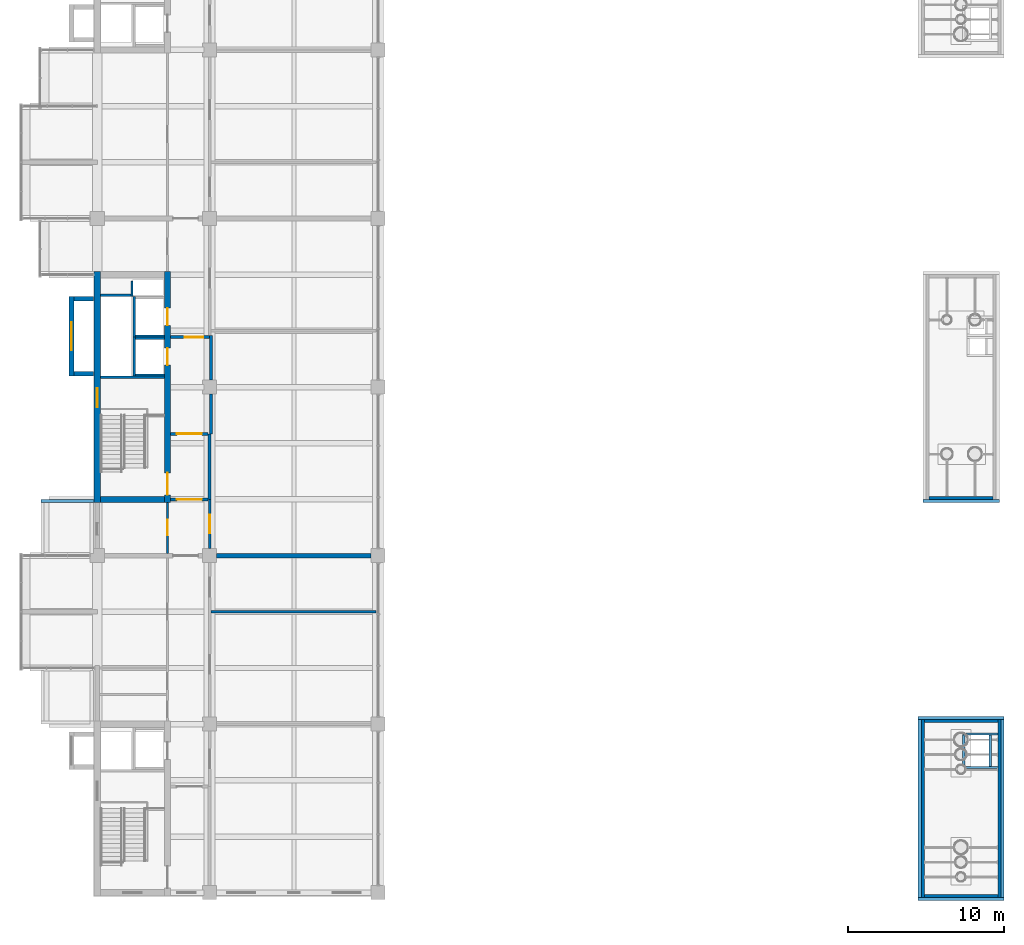
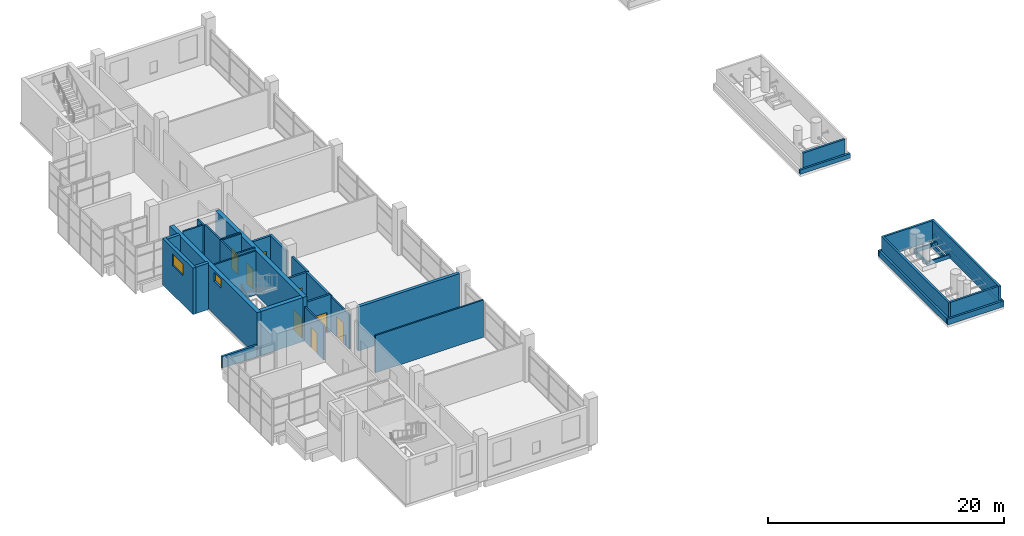
# One storey, part 15 of 22: 39 walls, 8 doors, 2 windows, 10 openings.
"""IFC4 building model written with IfcOpenShell, lengths in metres."""

from ifc_helpers import new_model, si_unit, direction, frame, frame_2d, origin, place, context, subcontext, project, spatial, rectangle, extrude, material, layer, layer_set, type_object, element, fill, save


model = new_model("IFC4")

# Units and contexts
model_context = context("Model", 3, precision=1e-05, world=origin(), true_north=direction((0.0, 1.0)))
body_context = subcontext(model_context, "Body", "Model", "MODEL_VIEW")
ifc_project = project(units=[si_unit("LENGTHUNIT", "METRE"), si_unit("AREAUNIT", "SQUARE_METRE"), si_unit("VOLUMEUNIT", "CUBIC_METRE"), si_unit("PLANEANGLEUNIT", "RADIAN"), si_unit("MASSUNIT", "GRAM", prefix="KILO")], contexts=[model_context])

# Site, building, storey
site_placement = place(None, origin())
site = spatial("IfcSite", under=ifc_project, at=site_placement, CompositionType="ELEMENT")
building_placement = place(site_placement, origin())
building = spatial("IfcBuilding", under=site, at=building_placement, Name="Basin Gate Institute", CompositionType="ELEMENT")
storey_placement = place(building_placement, frame((0.0, 0.0, 51.0)))
storey = spatial("IfcBuildingStorey", under=building, at=storey_placement, Name="L10", CompositionType="ELEMENT", Elevation=51.0)

# Wall, opening, door
ifc_material_1 = material(Name="Fire-rated masonry", Category="masonry")
ifc_layer_1 = layer(ifc_material_1, 0.199951171875)
ifc_layer_set_1 = layer_set([ifc_layer_1], Name="Enclosure wall PW2 200 EI 60")
wall_type_1 = type_object("IfcWallType", Name="Enclosure wall PW2 200 EI 60", PredefinedType="PARTITIONING", material=ifc_layer_set_1)
wall_1_placement = place(storey_placement, frame((65.89990234375, 60.300048828125, 0.0), z_axis=(0.0, 0.0, 1.0), x_axis=(1.0, 0.0, 0.0)))
wall_1 = element("IfcWall", 1, at=wall_1_placement, inside=storey, type_object=wall_type_1, material=ifc_layer_set_1, Name="Smoke lobby enclosure wall PW2 L10", PredefinedType="PARTITIONING", context=body_context, shape_type="SweptSolid", body=[
    extrude(rectangle(XDim=2.400146484375, YDim=0.199951171875, at=frame_2d((1.2001953125, 0.0))), origin(), (0.0, 0.0, 1.0), 3.85009765625),
])
opening_1_placement = place(wall_1_placement, frame((0.39990234375, 0.0, 0.0)))
opening_1 = element("IfcOpeningElement", 2, at=opening_1_placement, cuts=wall_1, Name="Opening DR456", PredefinedType="OPENING", context=body_context, shape_type="SweptSolid", body=[
    extrude(rectangle(XDim=1.60009765625, YDim=2.10009765625, at=frame_2d((0.800048828125, 1.050048828125))), frame((0.0, 0.10986328125, 0.0), z_axis=(0.0, -1.0, 0.0), x_axis=(1.0, 0.0, 0.0)), (0.0, 0.0, 1.0), 0.219970703125),
])
ifc_material_2 = material(Name="Steel fire door", Category="steel")
door_type_1 = type_object("IfcDoorType", Name="FD60 Smoke lobby door pair D8", OperationType="DOUBLE_DOOR_SINGLE_SWING", PredefinedType="DOOR", material=ifc_material_2)
door_1_placement = place(opening_1_placement, origin())
door_1 = element("IfcDoor", 3, at=door_1_placement, inside=storey, type_object=door_type_1, material=ifc_material_2, Name="Smoke lobby door SS2 L10", OperationType="DOUBLE_DOOR_SINGLE_SWING", OverallHeight=2.10009765625, OverallWidth=1.60009765625, PredefinedType="DOOR", context=body_context, shape_type="SweptSolid", body=[
    extrude(rectangle(XDim=1.60009765625, YDim=2.10009765625, at=frame_2d((0.800048828125, 1.050048828125))), frame((0.0, 0.02490234375, 0.0), z_axis=(0.0, -1.0, 0.0), x_axis=(1.0, 0.0, 0.0)), (0.0, 0.0, 1.0), 0.050048828125),
])
fill(opening_1, door_1)

wall_2_placement = place(storey_placement, frame((65.89990234375, 64.5, 0.0), z_axis=(0.0, 0.0, 1.0), x_axis=(1.0, 0.0, 0.0)))
wall_2 = element("IfcWall", 4, at=wall_2_placement, inside=storey, type_object=wall_type_1, material=ifc_layer_set_1, Name="Smoke lobby enclosure wall PW2 L10", PredefinedType="PARTITIONING", context=body_context, shape_type="SweptSolid", body=[
    extrude(rectangle(XDim=2.400146484375, YDim=0.199951171875, at=frame_2d((1.2001953125, 0.0))), origin(), (0.0, 0.0, 1.0), 3.550048828125),
])
opening_2_placement = place(wall_2_placement, frame((0.39990234375, 0.0, 0.0)))
opening_2 = element("IfcOpeningElement", 5, at=opening_2_placement, cuts=wall_2, Name="Opening DR457", PredefinedType="OPENING", context=body_context, shape_type="SweptSolid", body=[
    extrude(rectangle(XDim=1.60009765625, YDim=2.10009765625, at=frame_2d((0.800048828125, 1.050048828125))), frame((0.0, 0.10986328125, 0.0), z_axis=(0.0, -1.0, 0.0), x_axis=(1.0, 0.0, 0.0)), (0.0, 0.0, 1.0), 0.219970703125),
])
door_2_placement = place(opening_2_placement, frame((1.60009765625, 0.0, 0.0), z_axis=(0.0, 0.0, 1.0), x_axis=(-1.0, 0.0, 0.0)))
door_2 = element("IfcDoor", 6, at=door_2_placement, inside=storey, type_object=door_type_1, material=ifc_material_2, Name="Smoke lobby door SS2 L10", OperationType="DOUBLE_DOOR_SINGLE_SWING", OverallHeight=2.10009765625, OverallWidth=1.60009765625, PredefinedType="DOOR", context=body_context, shape_type="SweptSolid", body=[
    extrude(rectangle(XDim=1.60009765625, YDim=2.10009765625, at=frame_2d((0.800048828125, 1.050048828125))), frame((0.0, 0.02490234375, 0.0), z_axis=(0.0, -1.0, 0.0), x_axis=(1.0, 0.0, 0.0)), (0.0, 0.0, 1.0), 0.050048828125),
])
fill(opening_2, door_2)

# Wall
wall_3_placement = place(storey_placement, frame((68.39990234375, 60.300048828125, 0.0), z_axis=(0.0, 0.0, 1.0), x_axis=(0.0, 1.0, 0.0)))
element("IfcWall", 7, at=wall_3_placement, inside=storey, type_object=wall_type_1, material=ifc_layer_set_1, Name="Smoke lobby enclosure wall PW2 L10", PredefinedType="PARTITIONING", context=body_context, shape_type="SweptSolid", body=[
    extrude(rectangle(XDim=4.199951171875, YDim=0.199951171875, at=frame_2d((2.10009765625, 0.0))), origin(), (0.0, 0.0, 1.0), 3.550048828125),
])

# Wall, opening, door
wall_4_placement = place(storey_placement, frame((65.89990234375, 70.699951171875, 0.0), z_axis=(0.0, 0.0, 1.0), x_axis=(1.0, 0.0, 0.0)))
wall_4 = element("IfcWall", 8, at=wall_4_placement, inside=storey, type_object=wall_type_1, material=ifc_layer_set_1, Name="Emergency lift lobby wall PW2 L10", PredefinedType="PARTITIONING", context=body_context, shape_type="SweptSolid", body=[
    extrude(rectangle(XDim=2.5, YDim=0.199951171875, at=frame_2d((1.25, 0.0))), origin(), (0.0, 0.0, 1.0), 3.550048828125),
])
opening_3_placement = place(wall_4_placement, frame((0.89990234375, 0.0, 0.0)))
opening_3 = element("IfcOpeningElement", 9, at=opening_3_placement, cuts=wall_4, Name="Opening DR454", PredefinedType="OPENING", context=body_context, shape_type="SweptSolid", body=[
    extrude(rectangle(XDim=1.199951171875, YDim=2.10009765625, at=frame_2d((0.60009765625, 1.050048828125))), frame((0.0, 0.10986328125, 0.0), z_axis=(0.0, -1.0, 0.0), x_axis=(1.0, 0.0, 0.0)), (0.0, 0.0, 1.0), 0.219970703125),
])
ifc_material_3 = material(Name="Steel fire door", Category="steel")
door_type_2 = type_object("IfcDoorType", Name="FD60 Emergency lift lobby door D9", OperationType="NOTDEFINED", PredefinedType="DOOR", material=ifc_material_3)
door_3_placement = place(opening_3_placement, frame((1.199951171875, 0.0, 0.0), z_axis=(0.0, 0.0, 1.0), x_axis=(-1.0, 0.0, 0.0)))
door_3 = element("IfcDoor", 10, at=door_3_placement, inside=storey, type_object=door_type_2, material=ifc_material_3, Name="Emergency lift lobby door LF1 L10", OperationType="SINGLE_SWING_LEFT", OverallHeight=2.10009765625, OverallWidth=1.199951171875, PredefinedType="DOOR", context=body_context, shape_type="SweptSolid", body=[
    extrude(rectangle(XDim=1.199951171875, YDim=2.10009765625, at=frame_2d((0.60009765625, 1.050048828125))), frame((0.0, 0.02490234375, 0.0), z_axis=(0.0, -1.0, 0.0), x_axis=(1.0, 0.0, 0.0)), (0.0, 0.0, 1.0), 0.050048828125),
])
fill(opening_3, door_3)

# Walls
wall_5_placement = place(storey_placement, frame((68.5, 64.5, 0.0), z_axis=(0.0, 0.0, 1.0), x_axis=(0.0, 1.0, 0.0)))
element("IfcWall", 11, at=wall_5_placement, inside=storey, type_object=wall_type_1, material=ifc_layer_set_1, Name="Emergency lift lobby wall PW2 L10", PredefinedType="PARTITIONING", context=body_context, shape_type="SweptSolid", body=[
    extrude(rectangle(XDim=2.550048828125, YDim=0.199951171875, at=frame_2d((1.27490234375, 0.0))), origin(), (0.0, 0.0, 1.0), 3.550048828125),
])
wall_6_placement = place(storey_placement, frame((68.5, 67.949951171875, 0.0), z_axis=(0.0, 0.0, 1.0), x_axis=(0.0, 1.0, 0.0)))
element("IfcWall", 12, at=wall_6_placement, inside=storey, type_object=wall_type_1, material=ifc_layer_set_1, Name="Emergency lift lobby wall PW2 L10", PredefinedType="PARTITIONING", context=body_context, shape_type="SweptSolid", body=[
    extrude(rectangle(XDim=2.85009765625, YDim=0.199951171875, at=frame_2d((1.425048828125, 0.0))), origin(), (0.0, 0.0, 1.0), 3.550048828125),
])
ifc_material_4 = material(Name="Insulated aluminium louvre panel", Category="aluminium")
ifc_layer_2 = layer(ifc_material_4, 0.199951171875)
ifc_layer_set_2 = layer_set([ifc_layer_2], Name="Exhaust enclosure panel XS1")
wall_type_2 = type_object("IfcWallType", Name="Exhaust enclosure panel XS1", PredefinedType="SOLIDWALL", material=ifc_layer_set_2)
for number, where, z_axis, x_axis, name in (
    (13, (119.0, 34.800048828125, 0.25), (0.0, 0.0, 1.0), (0.0, 1.0, 0.0), "Exhaust enclosure panel XS1 ES E"),
    (14, (114.10009765625, 34.800048828125, 0.25), (0.0, 0.0, 1.0), (0.0, 1.0, 0.0), "Exhaust enclosure panel XS1 ES W"),
):
    element("IfcWall", number, at=place(storey_placement, frame(where, z_axis=z_axis, x_axis=x_axis)), inside=storey, type_object=wall_type_2, material=ifc_layer_set_2, Name=name, PredefinedType="SOLIDWALL", context=body_context, shape_type="SweptSolid", body=[
        extrude(rectangle(XDim=11.39990234375, YDim=0.199951171875, at=frame_2d((5.699951171875, 0.0))), origin(), (0.0, 0.0, 1.0), 2.10009765625),
    ])
for number, where, z_axis, x_axis, name in (
    (15, (114.199951171875, 46.10009765625, 0.25), (0.0, 0.0, 1.0), (1.0, 0.0, 0.0), "Exhaust enclosure panel XS1 ES N"),
    (16, (114.199951171875, 34.89990234375, 0.25), (0.0, 0.0, 1.0), (1.0, 0.0, 0.0), "Exhaust enclosure panel XS1 ES S"),
):
    element("IfcWall", number, at=place(storey_placement, frame(where, z_axis=z_axis, x_axis=x_axis)), inside=storey, type_object=wall_type_2, material=ifc_layer_set_2, Name=name, PredefinedType="SOLIDWALL", context=body_context, shape_type="SweptSolid", body=[
        extrude(rectangle(XDim=4.699951171875, YDim=0.199951171875, at=frame_2d((2.35009765625, 0.0))), origin(), (0.0, 0.0, 1.0), 2.10009765625),
    ])
wall_7_placement = place(storey_placement, frame((114.5, 60.39990234375, 0.25), z_axis=(0.0, 0.0, 1.0), x_axis=(1.0, 0.0, 0.0)))
element("IfcWall", 17, at=wall_7_placement, inside=storey, type_object=wall_type_2, material=ifc_layer_set_2, Name="Exhaust enclosure panel XS1 EM S", PredefinedType="SOLIDWALL", context=body_context, shape_type="SweptSolid", body=[
    extrude(rectangle(XDim=4.10009765625, YDim=0.199951171875, at=frame_2d((2.050048828125, 0.0))), origin(), (0.0, 0.0, 1.0), 1.949951171875),
])
ifc_material_5 = material(Name="Concrete 40 MPa", Category="concrete")
ifc_layer_3 = layer(ifc_material_5, 0.199951171875)
ifc_layer_set_3 = layer_set([ifc_layer_3], Name="Concrete 40 MPa")
wall_type_3 = type_object("IfcWallType", Name="Parapet wall PA1", PredefinedType="PARAPET", material=ifc_layer_set_3)
wall_8_placement = place(storey_placement, frame((57.60009765625, 60.199951171875, 0.0), z_axis=(0.0, 0.0, 1.0), x_axis=(1.0, 0.0, 0.0)))
element("IfcWall", 18, at=wall_8_placement, inside=storey, type_object=wall_type_3, material=ifc_layer_set_3, Name="Parapet wall PA1 L10 W4", PredefinedType="PARAPET", context=body_context, shape_type="SweptSolid", body=[
    extrude(rectangle(XDim=3.39990234375, YDim=0.199951171875, at=frame_2d((1.699951171875, 0.0))), origin(), (0.0, 0.0, 1.0), 1.199951171875),
])
ifc_material_6 = material(Name="Concrete 40 MPa", Category="concrete")
ifc_layer_4 = layer(ifc_material_6, 0.199951171875)
ifc_layer_set_4 = layer_set([ifc_layer_4], Name="Concrete 40 MPa")
wall_type_4 = type_object("IfcWallType", Name="Parapet wall PA2", PredefinedType="PARAPET", material=ifc_layer_set_4)
wall_9_placement = place(storey_placement, frame((119.300048828125, 34.699951171875, 0.25), z_axis=(0.0, 0.0, 1.0), x_axis=(-1.0, 0.0, 0.0)))
element("IfcWall", 19, at=wall_9_placement, inside=storey, type_object=wall_type_4, material=ifc_layer_set_4, Name="Parapet wall PA2 L10 ES1", PredefinedType="PARAPET", context=body_context, shape_type="SweptSolid", body=[
    extrude(rectangle(XDim=5.5, YDim=0.199951171875, at=frame_2d((2.75, 0.0))), origin(), (0.0, 0.0, 1.0), 0.60009765625),
])
wall_10_placement = place(storey_placement, frame((113.89990234375, 34.800048828125, 0.25), z_axis=(0.0, 0.0, 1.0), x_axis=(0.0, 1.0, 0.0)))
element("IfcWall", 20, at=wall_10_placement, inside=storey, type_object=wall_type_4, material=ifc_layer_set_4, Name="Parapet wall PA2 L10 ES2", PredefinedType="PARAPET", context=body_context, shape_type="SweptSolid", body=[
    extrude(rectangle(XDim=11.39990234375, YDim=0.199951171875, at=frame_2d((5.699951171875, 0.0))), origin(), (0.0, 0.0, 1.0), 0.60009765625),
])
wall_11_placement = place(storey_placement, frame((113.800048828125, 46.300048828125, 0.25), z_axis=(0.0, 0.0, 1.0), x_axis=(1.0, 0.0, 0.0)))
element("IfcWall", 21, at=wall_11_placement, inside=storey, type_object=wall_type_4, material=ifc_layer_set_4, Name="Parapet wall PA2 L10 ES3", PredefinedType="PARAPET", context=body_context, shape_type="SweptSolid", body=[
    extrude(rectangle(XDim=5.5, YDim=0.199951171875, at=frame_2d((2.75, 0.0))), origin(), (0.0, 0.0, 1.0), 0.60009765625),
])
wall_12_placement = place(storey_placement, frame((119.199951171875, 46.199951171875, 0.25), z_axis=(0.0, 0.0, 1.0), x_axis=(0.0, -1.0, 0.0)))
element("IfcWall", 22, at=wall_12_placement, inside=storey, type_object=wall_type_4, material=ifc_layer_set_4, Name="Parapet wall PA2 L10 ES4", PredefinedType="PARAPET", context=body_context, shape_type="SweptSolid", body=[
    extrude(rectangle(XDim=11.39990234375, YDim=0.199951171875, at=frame_2d((5.699951171875, 0.0))), origin(), (0.0, 0.0, 1.0), 0.60009765625),
])
ifc_material_7 = material(Name="Concrete 40 MPa", Category="concrete")
ifc_layer_5 = layer(ifc_material_7, 0.199951171875)
ifc_layer_set_5 = layer_set([ifc_layer_5], Name="Concrete 40 MPa")
wall_type_5 = type_object("IfcWallType", Name="Parapet wall PA4", PredefinedType="PARAPET", material=ifc_layer_set_5)
wall_13_placement = place(storey_placement, frame((119.0, 60.199951171875, 0.25), z_axis=(0.0, 0.0, 1.0), x_axis=(-1.0, 0.0, 0.0)))
element("IfcWall", 23, at=wall_13_placement, inside=storey, type_object=wall_type_5, material=ifc_layer_set_5, Name="Parapet wall PA4 L10 EM1", PredefinedType="PARAPET", context=body_context, shape_type="SweptSolid", body=[
    extrude(rectangle(XDim=4.89990234375, YDim=0.199951171875, at=frame_2d((2.449951171875, 0.0))), origin(), (0.0, 0.0, 1.0), 0.449951171875),
])

# Wall, opening, door
ifc_material_8 = material(Name="Gypsum board on steel stud", Category="steel")
ifc_layer_6 = layer(ifc_material_8, 0.14990234375)
ifc_layer_set_6 = layer_set([ifc_layer_6], Name="Gypsum board on steel stud")
wall_type_6 = type_object("IfcWallType", Name="Partition PW1 150 EI 60", PredefinedType="PARTITIONING", material=ifc_layer_set_6)
wall_14_placement = place(storey_placement, frame((65.699951171875, 56.85009765625, 0.0), z_axis=(0.0, 0.0, 1.0), x_axis=(0.0, 1.0, 0.0)))
wall_14 = element("IfcWall", 24, at=wall_14_placement, inside=storey, type_object=wall_type_6, material=ifc_layer_set_6, Name="Corridor wall PW1 L10", PredefinedType="PARTITIONING", context=body_context, shape_type="SweptSolid", body=[
    extrude(rectangle(XDim=3.25, YDim=0.14990234375, at=frame_2d((1.625, 0.0))), origin(), (0.0, 0.0, 1.0), 3.550048828125),
])
opening_4_placement = place(wall_14_placement, frame((1.14990234375, 0.0, 0.0)))
opening_4 = element("IfcOpeningElement", 25, at=opening_4_placement, cuts=wall_14, Name="Opening DR446", PredefinedType="OPENING", context=body_context, shape_type="SweptSolid", body=[
    extrude(rectangle(XDim=1.0, YDim=2.10009765625, at=frame_2d((0.5, 1.050048828125))), frame((0.0, 0.0849609375, 0.0), z_axis=(0.0, -1.0, 0.0), x_axis=(1.0, 0.0, 0.0)), (0.0, 0.0, 1.0), 0.169921875),
])
ifc_material_9 = material(Name="Timber fire door", Category="wood")
door_type_3 = type_object("IfcDoorType", Name="FD30 Toilet door D3", OperationType="NOTDEFINED", PredefinedType="DOOR", material=ifc_material_9)
door_4_placement = place(opening_4_placement, origin())
door_4 = element("IfcDoor", 26, at=door_4_placement, inside=storey, type_object=door_type_3, material=ifc_material_9, Name="Door to Female WC L10", OperationType="SINGLE_SWING_RIGHT", OverallHeight=2.10009765625, OverallWidth=1.0, PredefinedType="DOOR", context=body_context, shape_type="SweptSolid", body=[
    extrude(rectangle(XDim=1.0, YDim=2.10009765625, at=frame_2d((0.5, 1.050048828125))), frame((0.0, 0.02490234375, 0.0), z_axis=(0.0, -1.0, 0.0), x_axis=(1.0, 0.0, 0.0)), (0.0, 0.0, 1.0), 0.050048828125),
])
fill(opening_4, door_4)

wall_15_placement = place(storey_placement, frame((68.39990234375, 57.14990234375, 0.0), z_axis=(0.0, 0.0, 1.0), x_axis=(0.0, 1.0, 0.0)))
wall_15 = element("IfcWall", 27, at=wall_15_placement, inside=storey, type_object=wall_type_6, material=ifc_layer_set_6, Name="Laboratory corridor wall PW1 L10", PredefinedType="PARTITIONING", context=body_context, shape_type="SweptSolid", body=[
    extrude(rectangle(XDim=3.150146484375, YDim=0.14990234375, at=frame_2d((1.5751953125, 0.0))), origin(), (0.0, 0.0, 1.0), 3.550048828125),
])
opening_5_placement = place(wall_15_placement, frame((0.97509765625, 0.0, 0.0)))
opening_5 = element("IfcOpeningElement", 28, at=opening_5_placement, cuts=wall_15, Name="Opening DR450", PredefinedType="OPENING", context=body_context, shape_type="SweptSolid", body=[
    extrude(rectangle(XDim=1.199951171875, YDim=2.10009765625, at=frame_2d((0.60009765625, 1.050048828125))), frame((0.0, 0.0849609375, 0.0), z_axis=(0.0, -1.0, 0.0), x_axis=(1.0, 0.0, 0.0)), (0.0, 0.0, 1.0), 0.169921875),
])
ifc_material_10 = material(Name="Timber fire door", Category="wood")
door_type_4 = type_object("IfcDoorType", Name="FD30 Laboratory door D2", OperationType="DOUBLE_DOOR_SINGLE_SWING", PredefinedType="DOOR", material=ifc_material_10)
door_5_placement = place(opening_5_placement, frame((1.199951171875, 0.0, 0.0), z_axis=(0.0, 0.0, 1.0), x_axis=(-1.0, 0.0, 0.0)))
door_5 = element("IfcDoor", 29, at=door_5_placement, inside=storey, type_object=door_type_4, material=ifc_material_10, Name="Door to Shared Instrument Suite 1018 L10", OperationType="DOUBLE_DOOR_SINGLE_SWING", OverallHeight=2.10009765625, OverallWidth=1.199951171875, PredefinedType="DOOR", context=body_context, shape_type="SweptSolid", body=[
    extrude(rectangle(XDim=1.199951171875, YDim=2.10009765625, at=frame_2d((0.60009765625, 1.050048828125))), frame((0.0, 0.02490234375, 0.0), z_axis=(0.0, -1.0, 0.0), x_axis=(1.0, 0.0, 0.0)), (0.0, 0.0, 1.0), 0.050048828125),
])
fill(opening_5, door_5)

# Walls
wall_16_placement = place(storey_placement, frame((68.47509765625, 53.10009765625, 0.0), z_axis=(0.0, 0.0, 1.0), x_axis=(1.0, 0.0, 0.0)))
element("IfcWall", 30, at=wall_16_placement, inside=storey, type_object=wall_type_6, material=ifc_layer_set_6, Name="Laboratory partition PW1 L10", PredefinedType="PARTITIONING", context=body_context, shape_type="SweptSolid", body=[
    extrude(rectangle(XDim=10.574951171875, YDim=0.14990234375, at=frame_2d((5.28759765625, 0.0))), origin(), (0.0, 0.0, 1.0), 3.85009765625),
])
ifc_material_11 = material(Name="Concrete 40 MPa", Category="concrete")
ifc_layer_7 = layer(ifc_material_11, 0.14990234375)
ifc_layer_set_7 = layer_set([ifc_layer_7], Name="Concrete 40 MPa")
wall_type_7 = type_object("IfcWallType", Name="Roof duct curb CU1", PredefinedType="PARAPET", material=ifc_layer_set_7)
for number, where, z_axis, x_axis, name in (
    (31, (116.64990234375, 43.125, 0.25), (0.0, 0.0, 1.0), (1.0, 0.0, 0.0), "Roof duct curb CU1 ES stack"),
    (32, (116.64990234375, 45.27490234375, 0.25), (0.0, 0.0, 1.0), (1.0, 0.0, 0.0), "Roof duct curb CU1 ES stack"),
):
    element("IfcWall", number, at=place(storey_placement, frame(where, z_axis=z_axis, x_axis=x_axis)), inside=storey, type_object=wall_type_7, material=ifc_layer_set_7, Name=name, PredefinedType="PARAPET", context=body_context, shape_type="SweptSolid", body=[
        extrude(rectangle(XDim=2.25, YDim=0.14990234375, at=frame_2d((1.125, 0.0))), origin(), (0.0, 0.0, 1.0), 0.39990234375),
    ])
for number, where, z_axis, x_axis, name in (
    (33, (116.72509765625, 43.199951171875, 0.25), (0.0, 0.0, 1.0), (0.0, 1.0, 0.0), "Roof duct curb CU1 ES stack"),
    (34, (118.425048828125, 43.199951171875, 0.25), (0.0, 0.0, 1.0), (0.0, 1.0, 0.0), "Roof duct curb CU1 ES stack"),
):
    element("IfcWall", number, at=place(storey_placement, frame(where, z_axis=z_axis, x_axis=x_axis)), inside=storey, type_object=wall_type_7, material=ifc_layer_set_7, Name=name, PredefinedType="PARAPET", context=body_context, shape_type="SweptSolid", body=[
        extrude(rectangle(XDim=2.0, YDim=0.14990234375, at=frame_2d((1.0, 0.0))), origin(), (0.0, 0.0, 1.0), 0.39990234375),
    ])
ifc_material_12 = material(Name="Concrete 40 MPa", Category="concrete")
ifc_layer_8 = layer(ifc_material_12, 0.14990234375)
ifc_layer_set_8 = layer_set([ifc_layer_8], Name="Concrete 40 MPa")
wall_type_8 = type_object("IfcWallType", Name="Wall LS1 lift shaft enclosure R120", PredefinedType="SOLIDWALL", material=ifc_layer_set_8)
wall_17_placement = place(storey_placement, frame((63.574951171875, 68.199951171875, 0.0), z_axis=(0.0, 0.0, 1.0), x_axis=(0.0, 1.0, 0.0)))
element("IfcWall", 35, at=wall_17_placement, inside=storey, type_object=wall_type_8, material=ifc_layer_set_8, Name="Lift shaft enclosure LF1 L10 UL", PredefinedType="SOLIDWALL", context=body_context, shape_type="SweptSolid", body=[
    extrude(rectangle(XDim=2.5, YDim=0.14990234375, at=frame_2d((1.25, 0.0))), origin(), (0.0, 0.0, 1.0), 4.800048828125),
])
for number, where, z_axis, x_axis, name in (
    (36, (63.64990234375, 68.27490234375, 0.0), (0.0, 0.0, 1.0), (1.0, 0.0, 0.0), "Lift shaft enclosure LF1 L10 RL"),
    (37, (63.64990234375, 70.625, 0.0), (0.0, 0.0, 1.0), (1.0, 0.0, 0.0), "Lift shaft enclosure LF1 L10 RH"),
):
    element("IfcWall", number, at=place(storey_placement, frame(where, z_axis=z_axis, x_axis=x_axis)), inside=storey, type_object=wall_type_8, material=ifc_layer_set_8, Name=name, PredefinedType="SOLIDWALL", context=body_context, shape_type="SweptSolid", body=[
        extrude(rectangle(XDim=1.85009765625, YDim=0.14990234375, at=frame_2d((0.925048828125, 0.0))), origin(), (0.0, 0.0, 1.0), 4.800048828125),
    ])
wall_18_placement = place(storey_placement, frame((63.574951171875, 70.699951171875, 0.0), z_axis=(0.0, 0.0, 1.0), x_axis=(0.0, 1.0, 0.0)))
element("IfcWall", 38, at=wall_18_placement, inside=storey, type_object=wall_type_8, material=ifc_layer_set_8, Name="Lift shaft enclosure LP2 L10 UL", PredefinedType="SOLIDWALL", context=body_context, shape_type="SweptSolid", body=[
    extrude(rectangle(XDim=2.60009765625, YDim=0.14990234375, at=frame_2d((1.300048828125, 0.0))), origin(), (0.0, 0.0, 1.0), 4.800048828125),
])
wall_19_placement = place(storey_placement, frame((63.64990234375, 70.77490234375, 0.0), z_axis=(0.0, 0.0, 1.0), x_axis=(1.0, 0.0, 0.0)))
element("IfcWall", 39, at=wall_19_placement, inside=storey, type_object=wall_type_8, material=ifc_layer_set_8, Name="Lift shaft enclosure LP2 L10 RL", PredefinedType="SOLIDWALL", context=body_context, shape_type="SweptSolid", body=[
    extrude(rectangle(XDim=1.85009765625, YDim=0.14990234375, at=frame_2d((0.925048828125, 0.0))), origin(), (0.0, 0.0, 1.0), 4.800048828125),
])
ifc_material_13 = material(Name="Concrete 40 MPa", Category="concrete")
ifc_layer_9 = layer(ifc_material_13, 0.14990234375)
ifc_layer_set_9 = layer_set([ifc_layer_9], Name="Concrete 40 MPa")
wall_type_9 = type_object("IfcWallType", Name="Wall RS1 riser shaft enclosure R120", PredefinedType="SOLIDWALL", material=ifc_layer_set_9)
wall_20_placement = place(storey_placement, frame((61.39990234375, 73.375, 0.0), z_axis=(0.0, 0.0, 1.0), x_axis=(1.0, 0.0, 0.0)))
element("IfcWall", 40, at=wall_20_placement, inside=storey, type_object=wall_type_9, material=ifc_layer_set_9, Name="Riser shaft enclosure WM L10 N", PredefinedType="SOLIDWALL", context=body_context, shape_type="SweptSolid", body=[
    extrude(rectangle(XDim=1.9501953125, YDim=0.14990234375, at=frame_2d((0.97509765625, 0.0))), origin(), (0.0, 0.0, 1.0), 4.800048828125),
])
wall_21_placement = place(storey_placement, frame((63.425048828125, 73.300048828125, 0.0), z_axis=(0.0, 0.0, 1.0), x_axis=(0.0, 1.0, 0.0)))
element("IfcWall", 41, at=wall_21_placement, inside=storey, type_object=wall_type_9, material=ifc_layer_set_9, Name="Riser shaft enclosure WM L10 W", PredefinedType="SOLIDWALL", context=body_context, shape_type="SweptSolid", body=[
    extrude(rectangle(XDim=1.0, YDim=0.14990234375, at=frame_2d((0.5, 0.0))), origin(), (0.0, 0.0, 1.0), 4.800048828125),
])
ifc_material_14 = material(Name="Concrete 40 MPa", Category="concrete")
ifc_layer_10 = layer(ifc_material_14, 0.14990234375)
ifc_layer_set_10 = layer_set([ifc_layer_10], Name="Concrete 40 MPa")
wall_type_10 = type_object("IfcWallType", Name="Wall SE1 stair enclosure R120", PredefinedType="SOLIDWALL", material=ifc_layer_set_10)
wall_22_placement = place(storey_placement, frame((61.39990234375, 68.125, 0.0), z_axis=(0.0, 0.0, 1.0), x_axis=(1.0, 0.0, 0.0)))
element("IfcWall", 42, at=wall_22_placement, inside=storey, type_object=wall_type_10, material=ifc_layer_set_10, Name="Stair enclosure wall ST-WM L10", PredefinedType="SOLIDWALL", context=body_context, shape_type="SweptSolid", body=[
    extrude(rectangle(XDim=4.10009765625, YDim=0.14990234375, at=frame_2d((2.050048828125, 0.0))), origin(), (0.0, 0.0, 1.0), 4.550048828125),
])

# Wall, opening, window
ifc_material_15 = material(Name="Concrete 50 MPa", Category="concrete")
ifc_layer_11 = layer(ifc_material_15, 0.300048828125)
ifc_layer_set_11 = layer_set([ifc_layer_11], Name="Concrete 50 MPa")
wall_type_11 = type_object("IfcWallType", Name="Wall SK1 R120", PredefinedType="SHEAR", material=ifc_layer_set_11)
wall_23_placement = place(storey_placement, frame((59.550048828125, 68.199951171875, 0.0), z_axis=(0.0, 0.0, 1.0), x_axis=(0.0, 1.0, 0.0)))
wall_23 = element("IfcWall", 43, at=wall_23_placement, inside=storey, type_object=wall_type_11, material=ifc_layer_set_11, Name="Spine riser stack wall SK1 WM F L10", PredefinedType="SHEAR", context=body_context, shape_type="SweptSolid", body=[
    extrude(rectangle(XDim=5.10009765625, YDim=0.300048828125, at=frame_2d((2.550048828125, 0.0))), origin(), (0.0, 0.0, 1.0), 4.800048828125),
])
opening_6_placement = place(wall_23_placement, frame((1.64990234375, 0.0, 3.0)))
opening_6 = element("IfcOpeningElement", 44, at=opening_6_placement, cuts=wall_23, Name="Opening WL2", PredefinedType="OPENING", context=body_context, shape_type="SweptSolid", body=[
    extrude(rectangle(XDim=1.800048828125, YDim=1.199951171875, at=frame_2d((0.89990234375, 0.60009765625))), frame((0.0, 0.16015625, 0.0), z_axis=(0.0, -1.0, 0.0), x_axis=(1.0, 0.0, 0.0)), (0.0, 0.0, 1.0), 0.320068359375),
])
ifc_material_16 = material(Name="Aluminium louvre blades with fire damper", Category="aluminium")
window_type_1 = type_object("IfcWindowType", Name="Riser louvre EI 120 WL2", PartitioningType="SINGLE_PANEL", PredefinedType="WINDOW", material=ifc_material_16)
window_1_placement = place(opening_6_placement, origin())
window_1 = element("IfcWindow", 45, at=window_1_placement, inside=storey, type_object=window_type_1, material=ifc_material_16, Name="Riser louvre EI 120 WM riser 1 L10", OverallHeight=1.199951171875, OverallWidth=1.800048828125, PartitioningType="SINGLE_PANEL", PredefinedType="WINDOW", context=body_context, shape_type="SweptSolid", body=[
    extrude(rectangle(XDim=1.800048828125, YDim=1.199951171875, at=frame_2d((0.89990234375, 0.60009765625))), frame((0.0, 0.030029296875, 0.0), z_axis=(0.0, -1.0, 0.0), x_axis=(1.0, 0.0, 0.0)), (0.0, 0.0, 1.0), 0.06005859375),
])
fill(opening_6, window_1)

# Walls
for number, where, z_axis, x_axis, name in (
    (46, (60.949951171875, 68.35009765625, 0.0), (0.0, 0.0, 1.0), (-1.0, 0.0, 0.0), "Spine riser stack wall SK1 WM A L10"),
    (47, (60.949951171875, 73.14990234375, 0.0), (0.0, 0.0, 1.0), (-1.0, 0.0, 0.0), "Spine riser stack wall SK1 WM B L10"),
):
    element("IfcWall", number, at=place(storey_placement, frame(where, z_axis=z_axis, x_axis=x_axis)), inside=storey, type_object=wall_type_11, material=ifc_layer_set_11, Name=name, PredefinedType="SHEAR", context=body_context, shape_type="SweptSolid", body=[
        extrude(rectangle(XDim=1.25, YDim=0.300048828125, at=frame_2d((0.625, 0.0))), origin(), (0.0, 0.0, 1.0), 4.800048828125),
    ])

# Wall, opening, window
ifc_material_17 = material(Name="Concrete 50 MPa", Category="concrete")
ifc_layer_12 = layer(ifc_material_17, 0.39990234375)
ifc_layer_set_12 = layer_set([ifc_layer_12], Name="Concrete 50 MPa")
wall_type_12 = type_object("IfcWallType", Name="Wall SW2 R120", PredefinedType="SHEAR", material=ifc_layer_set_12)
wall_24_placement = place(storey_placement, frame((61.199951171875, 60.10009765625, 0.0), z_axis=(0.0, 0.0, 1.0), x_axis=(0.0, 1.0, 0.0)))
wall_24 = element("IfcWall", 48, at=wall_24_placement, inside=storey, type_object=wall_type_12, material=ifc_layer_set_12, Name="WALL/L10/WM/L", PredefinedType="SHEAR", context=body_context, shape_type="SweptSolid", body=[
    extrude(rectangle(XDim=14.7998046875, YDim=0.39990234375, at=frame_2d((7.39990234375, 0.0))), origin(), (0.0, 0.0, 1.0), 4.550048828125),
])
opening_7_placement = place(wall_24_placement, frame((6.110107421875, 0.0, 3.39990234375)))
opening_7 = element("IfcOpeningElement", 49, at=opening_7_placement, cuts=wall_24, Name="Opening WT2", PredefinedType="OPENING", context=body_context, shape_type="SweptSolid", body=[
    extrude(rectangle(XDim=1.199951171875, YDim=0.89990234375, at=frame_2d((0.60009765625, 0.449951171875))), frame((0.0, 0.2099609375, 0.0), z_axis=(0.0, -1.0, 0.0), x_axis=(1.0, 0.0, 0.0)), (0.0, 0.0, 1.0), 0.419921875),
])
ifc_material_18 = material(Name="Fire-resistant glazing in steel-free frame", Category="steel")
window_type_2 = type_object("IfcWindowType", Name="Rated stair window EI 120 WT2", PartitioningType="SINGLE_PANEL", PredefinedType="WINDOW", material=ifc_material_18)
window_2_placement = place(opening_7_placement, origin())
window_2 = element("IfcWindow", 50, at=window_2_placement, inside=storey, type_object=window_type_2, material=ifc_material_18, Name="Rated stair window EI 120 WM landing L10", OverallHeight=0.89990234375, OverallWidth=1.199951171875, PartitioningType="SINGLE_PANEL", PredefinedType="WINDOW", context=body_context, shape_type="SweptSolid", body=[
    extrude(rectangle(XDim=1.199951171875, YDim=0.89990234375, at=frame_2d((0.60009765625, 0.449951171875))), frame((0.0, 0.030029296875, 0.0), z_axis=(0.0, -1.0, 0.0), x_axis=(1.0, 0.0, 0.0)), (0.0, 0.0, 1.0), 0.06005859375),
])
fill(opening_7, window_2)

# Wall, openings, doors
wall_25_placement = place(storey_placement, frame((65.699951171875, 60.10009765625, 0.0), z_axis=(0.0, 0.0, 1.0), x_axis=(0.0, 1.0, 0.0)))
wall_25 = element("IfcWall", 51, at=wall_25_placement, inside=storey, type_object=wall_type_12, material=ifc_layer_set_12, Name="WALL/L10/WM/C", PredefinedType="SHEAR", context=body_context, shape_type="SweptSolid", body=[
    extrude(rectangle(XDim=14.7998046875, YDim=0.39990234375, at=frame_2d((7.39990234375, 0.0))), origin(), (0.0, 0.0, 1.0), 4.550048828125),
])
opening_8_placement = place(wall_25_placement, frame((0.5, 0.0, 0.0)))
opening_8 = element("IfcOpeningElement", 52, at=opening_8_placement, cuts=wall_25, Name="Opening DS059", PredefinedType="OPENING", context=body_context, shape_type="SweptSolid", body=[
    extrude(rectangle(XDim=1.39990234375, YDim=2.10009765625, at=frame_2d((0.699951171875, 1.050048828125))), frame((0.0, 0.2099609375, 0.0), z_axis=(0.0, -1.0, 0.0), x_axis=(1.0, 0.0, 0.0)), (0.0, 0.0, 1.0), 0.419921875),
])
opening_9_placement = place(wall_25_placement, frame((8.800048828125, 0.0, 0.0)))
opening_9 = element("IfcOpeningElement", 53, at=opening_9_placement, cuts=wall_25, Name="Opening LD030", PredefinedType="OPENING", context=body_context, shape_type="SweptSolid", body=[
    extrude(rectangle(XDim=1.10009765625, YDim=2.10009765625, at=frame_2d((0.550048828125, 1.050048828125))), frame((0.0, 0.2099609375, 0.0), z_axis=(0.0, -1.0, 0.0), x_axis=(1.0, 0.0, 0.0)), (0.0, 0.0, 1.0), 0.419921875),
])
opening_10_placement = place(wall_25_placement, frame((11.35009765625, 0.0, 0.0)))
opening_10 = element("IfcOpeningElement", 54, at=opening_10_placement, cuts=wall_25, Name="Opening LD048", PredefinedType="OPENING", context=body_context, shape_type="SweptSolid", body=[
    extrude(rectangle(XDim=1.10009765625, YDim=2.10009765625, at=frame_2d((0.550048828125, 1.050048828125))), frame((0.0, 0.2099609375, 0.0), z_axis=(0.0, -1.0, 0.0), x_axis=(1.0, 0.0, 0.0)), (0.0, 0.0, 1.0), 0.419921875),
])
ifc_material_19 = material(Name="Steel fire door", Category="steel")
door_type_5 = type_object("IfcDoorType", Name="FD30 Stair enclosure door DS", OperationType="DOUBLE_DOOR_SINGLE_SWING", PredefinedType="DOOR", material=ifc_material_19)
door_6_placement = place(opening_8_placement, origin())
door_6 = element("IfcDoor", 55, at=door_6_placement, inside=storey, type_object=door_type_5, material=ifc_material_19, Name="Stair enclosure door ST-WM L10", OperationType="DOUBLE_DOOR_SINGLE_SWING", OverallHeight=2.10009765625, OverallWidth=1.39990234375, PredefinedType="DOOR", context=body_context, shape_type="SweptSolid", body=[
    extrude(rectangle(XDim=1.39990234375, YDim=2.10009765625, at=frame_2d((0.699951171875, 1.050048828125))), frame((0.0, 0.02490234375, 0.0), z_axis=(0.0, -1.0, 0.0), x_axis=(1.0, 0.0, 0.0)), (0.0, 0.0, 1.0), 0.050048828125),
])
fill(opening_8, door_6)
ifc_material_20 = material(Name="Stainless steel", Category="steel")
door_type_6 = type_object("IfcDoorType", Name="FD60 Lift landing door LD", OperationType="SLIDING_TO_LEFT", PredefinedType="DOOR", material=ifc_material_20)
door_7_placement = place(opening_9_placement, origin())
door_7 = element("IfcDoor", 56, at=door_7_placement, inside=storey, type_object=door_type_6, material=ifc_material_20, Name="Lift landing door LF1 L10", OperationType="SLIDING_TO_LEFT", OverallHeight=2.10009765625, OverallWidth=1.10009765625, PredefinedType="DOOR", context=body_context, shape_type="SweptSolid", body=[
    extrude(rectangle(XDim=1.10009765625, YDim=2.10009765625, at=frame_2d((0.550048828125, 1.050048828125))), frame((0.0, 0.02490234375, 0.0), z_axis=(0.0, -1.0, 0.0), x_axis=(1.0, 0.0, 0.0)), (0.0, 0.0, 1.0), 0.050048828125),
])
fill(opening_9, door_7)
door_8_placement = place(opening_10_placement, origin())
door_8 = element("IfcDoor", 57, at=door_8_placement, inside=storey, type_object=door_type_6, material=ifc_material_20, Name="Lift landing door LP2 L10", OperationType="SLIDING_TO_LEFT", OverallHeight=2.10009765625, OverallWidth=1.10009765625, PredefinedType="DOOR", context=body_context, shape_type="SweptSolid", body=[
    extrude(rectangle(XDim=1.10009765625, YDim=2.10009765625, at=frame_2d((0.550048828125, 1.050048828125))), frame((0.0, 0.02490234375, 0.0), z_axis=(0.0, -1.0, 0.0), x_axis=(1.0, 0.0, 0.0)), (0.0, 0.0, 1.0), 0.050048828125),
])
fill(opening_10, door_8)

# Walls
wall_26_placement = place(storey_placement, frame((61.39990234375, 60.300048828125, 0.0), z_axis=(0.0, 0.0, 1.0), x_axis=(1.0, 0.0, 0.0)))
element("IfcWall", 58, at=wall_26_placement, inside=storey, type_object=wall_type_12, material=ifc_layer_set_12, Name="WALL/L10/WM/S", PredefinedType="SHEAR", context=body_context, shape_type="SweptSolid", body=[
    extrude(rectangle(XDim=4.10009765625, YDim=0.39990234375, at=frame_2d((2.050048828125, 0.0))), origin(), (0.0, 0.0, 1.0), 4.550048828125),
])
ifc_material_21 = material(Name="Concrete 50 MPa", Category="concrete")
ifc_layer_13 = layer(ifc_material_21, 0.300048828125)
ifc_layer_set_13 = layer_set([ifc_layer_13], Name="Concrete 50 MPa")
wall_type_13 = type_object("IfcWallType", Name="Wall XW1 R120", PredefinedType="SHEAR", material=ifc_layer_set_13)
wall_27_placement = place(storey_placement, frame((68.85009765625, 56.699951171875, 0.0), z_axis=(0.0, 0.0, 1.0), x_axis=(1.0, 0.0, 0.0)))
element("IfcWall", 59, at=wall_27_placement, inside=storey, type_object=wall_type_13, material=ifc_layer_set_13, Name="WALL/L10/WXC/2", PredefinedType="SHEAR", context=body_context, shape_type="SweptSolid", body=[
    extrude(rectangle(XDim=9.89990234375, YDim=0.300048828125, at=frame_2d((4.949951171875, 0.0))), origin(), (0.0, 0.0, 1.0), 4.550048828125),
])

save(model, "model.ifc")
